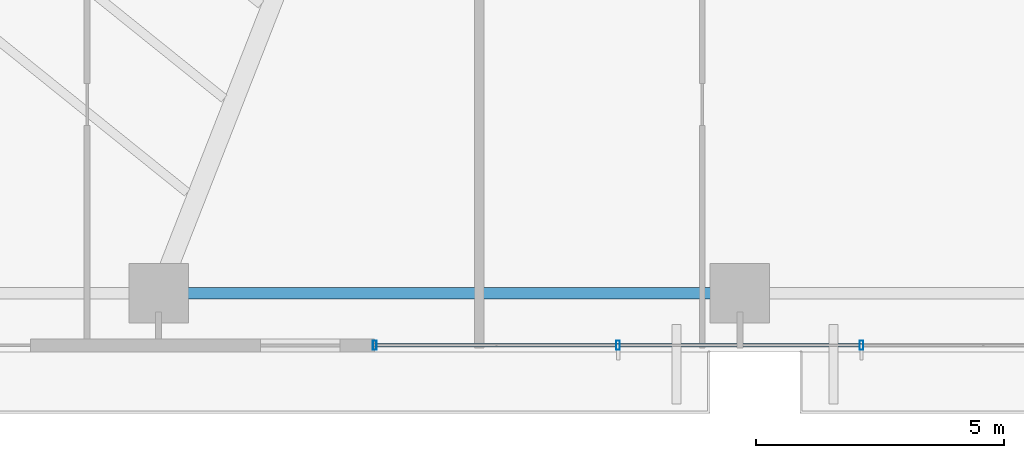
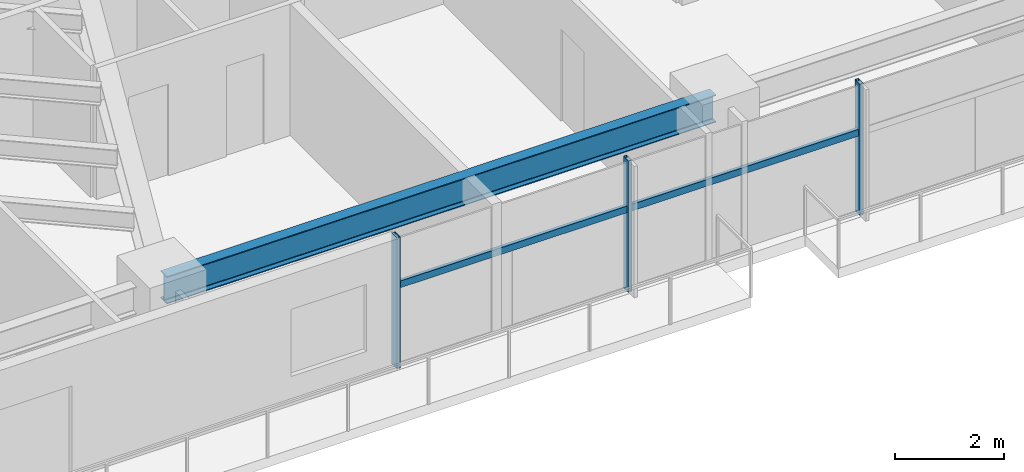
# One storey, part 6 of 25: 5 members, 1 beam, 1 element without a shape of its own.
"""IFC4 building model written with IfcOpenShell, lengths in metres."""

from ifc_helpers import new_model, si_unit, direction, frame, origin, origin_2d, place, context, subcontext, project, spatial, hollow_rectangle, i_section, extrude, source, transform, mapped, material, material_profile, profile_set, type_object, type_shapes, element, aggregate, save


model = new_model("IFC4")

# Units and contexts
model_context = context("Model", 3, precision=1e-05, world=origin(), true_north=direction((0.0, 1.0)))
body_context = subcontext(model_context, "Body", "Model", "MODEL_VIEW")
ifc_project = project(units=[si_unit("LENGTHUNIT", "METRE"), si_unit("AREAUNIT", "SQUARE_METRE"), si_unit("VOLUMEUNIT", "CUBIC_METRE"), si_unit("PLANEANGLEUNIT", "RADIAN"), si_unit("MASSUNIT", "GRAM", prefix="KILO")], contexts=[model_context])

# Site, building, storey
site_placement = place(None, origin())
site = spatial("IfcSite", under=ifc_project, at=site_placement, CompositionType="ELEMENT")
building_placement = place(site_placement, origin())
building = spatial("IfcBuilding", under=site, at=building_placement, Name="Astriad Promenade Condominiums", CompositionType="ELEMENT")
storey_placement = place(building_placement, frame((0.0, 0.0, 61.39990234375)))
storey = spatial("IfcBuildingStorey", under=building, at=storey_placement, Name="L17", CompositionType="ELEMENT", Elevation=61.39990234375)

# Beam
ifc_material_1 = material(Name="Steel ASTM A992 Grade 50", Category="steel")
ifc_material_profile_1 = material_profile(ifc_material_1, i_section(OverallWidth=0.22900390625, OverallDepth=0.612060546875, WebThickness=0.011962890625, FlangeThickness=0.01953125, FilletRadius=0.017822265625, at=origin_2d()), Name="W24X84")
ifc_profile_set_1 = profile_set([ifc_material_profile_1], Name="Steel ASTM A992 Grade 50")
beam_type = type_object("IfcBeamType", Name="STEEL SPANDREL BEAM W24X84", PredefinedType="SPANDREL", material=ifc_profile_set_1)
shared_shape_1 = source(origin(), body_context, "Body", "SweptSolid", [
    extrude(i_section(OverallWidth=0.22900390625, OverallDepth=0.612060546875, WebThickness=0.011962890625, FlangeThickness=0.01953125, FilletRadius=0.017822265625, at=origin_2d()), origin(), (0.0, 0.0, 1.0), 11.6201171875),
])
type_shapes(beam_type, [shared_shape_1])
beam_placement = place(storey_placement, frame((21.139892578125, 3.8798828125, 2.634033203125), z_axis=(1.0, 0.0, 0.0), x_axis=(0.0, 1.0, 0.0)))
element("IfcBeam", 1, at=beam_placement, inside=storey, type_object=beam_type, Name="Perimeter Spandrel Beam SP-S2-L17", PredefinedType="SPANDREL", context=body_context, shape_type="MappedRepresentation", body=[
    mapped(shared_shape_1, transform((0.0, 0.0, 0.0), scale=1.0)),
])

# Curtain wall, members
ifc_material_2 = material(Name="Anodised aluminium Black Dark Glass Unitised", Category="aluminium")
curtain_wall_type = type_object("IfcCurtainWallType", Name="CW-B1-DARK", PredefinedType="USERDEFINED", material=ifc_material_2)
curtain_wall_placement = place(storey_placement, origin())
curtain_wall = element("IfcCurtainWall", 2, at=curtain_wall_placement, inside=storey, type_object=curtain_wall_type, Name="CW-L17-S", ObjectType="UNITISED_CURTAIN_WALL", PredefinedType="USERDEFINED")
ifc_material_3 = material(Name="Anodised aluminium 6063-T6 Black", Category="aluminium")
ifc_material_profile_2 = material_profile(ifc_material_3, hollow_rectangle(XDim=0.074951171875, YDim=0.14990234375, WallThickness=0.004150390625, at=origin_2d()), Name="ALU-TRN-75X150")
ifc_profile_set_2 = profile_set([ifc_material_profile_2], Name="Anodised aluminium 6063-T6 Black")
member_type_1 = type_object("IfcMemberType", Name="TRN-ALU-TRN-75X150", PredefinedType="USERDEFINED", material=ifc_profile_set_2)
shared_shape_2 = source(origin(), body_context, "Body", "SweptSolid", [
    extrude(hollow_rectangle(XDim=0.074951171875, YDim=0.14990234375, WallThickness=0.004150390625, at=origin_2d()), origin(), (0.0, 0.0, 1.0), 4.900146484375),
])
member_1_placement = place(storey_placement, frame((30.35009765625, 2.830078125, 1.822998046875), z_axis=(-1.0, 0.0, 0.0), x_axis=(0.0, -1.0, 0.0)))
member_1 = element("IfcMember", 3, at=member_1_placement, type_object=member_type_1, Name="CW-L17-S-TRN-02-0", ObjectType="TRANSOM", PredefinedType="USERDEFINED", context=body_context, shape_type="MappedRepresentation", body=[
    mapped(shared_shape_2, transform((0.0, 0.0, 0.0), scale=1.0)),
])
shared_shape_3 = source(origin(), body_context, "Body", "SweptSolid", [
    extrude(hollow_rectangle(XDim=0.074951171875, YDim=0.14990234375, WallThickness=0.004150390625, at=origin_2d()), origin(), (0.0, 0.0, 1.0), 4.89990234375),
])
type_shapes(member_type_1, [shared_shape_2, shared_shape_3])
member_2_placement = place(storey_placement, frame((35.25, 2.830078125, 1.822998046875), z_axis=(-1.0, 0.0, 0.0), x_axis=(0.0, -1.0, 0.0)))
member_2 = element("IfcMember", 4, at=member_2_placement, type_object=member_type_1, Name="CW-L17-S-TRN-01-0", ObjectType="TRANSOM", PredefinedType="USERDEFINED", context=body_context, shape_type="MappedRepresentation", body=[
    mapped(shared_shape_3, transform((0.0, 0.0, 0.0), scale=1.0)),
])
ifc_material_profile_3 = material_profile(ifc_material_3, hollow_rectangle(XDim=0.074951171875, YDim=0.18505859375, WallThickness=0.00439453125, at=origin_2d()), Name="ALU-MUL-75X185")
ifc_profile_set_3 = profile_set([ifc_material_profile_3], Name="Anodised aluminium 6063-T6 Black")
member_type_2 = type_object("IfcMemberType", Name="MUL-ALU-MUL-75X185", PredefinedType="MULLION", material=ifc_profile_set_3)
shared_shape_4 = source(origin(), body_context, "Body", "SweptSolid", [
    extrude(hollow_rectangle(XDim=0.074951171875, YDim=0.18505859375, WallThickness=0.00439453125, at=origin_2d()), origin(), (0.0, 0.0, 1.0), 2.940185546875),
])
type_shapes(member_type_2, [shared_shape_4])
member_3_placement = place(storey_placement, frame((35.25, 2.830078125, 0.0), z_axis=(0.0, 0.0, 1.0), x_axis=(1.0, 0.0, 0.0)))
member_3 = element("IfcMember", 5, at=member_3_placement, type_object=member_type_2, Name="CW-L17-S-MUL-01", PredefinedType="MULLION", context=body_context, shape_type="MappedRepresentation", body=[
    mapped(shared_shape_4, transform((0.0, 0.0, 0.0), scale=1.0)),
])
member_4_placement = place(storey_placement, frame((30.35009765625, 2.830078125, 0.0), z_axis=(0.0, 0.0, 1.0), x_axis=(1.0, 0.0, 0.0)))
member_4 = element("IfcMember", 6, at=member_4_placement, type_object=member_type_2, Name="CW-L17-S-MUL-02", PredefinedType="MULLION", context=body_context, shape_type="MappedRepresentation", body=[
    mapped(shared_shape_4, transform((0.0, 0.0, 0.0), scale=1.0)),
])
member_5_placement = place(storey_placement, frame((25.449951171875, 2.830078125, 0.0), z_axis=(0.0, 0.0, 1.0), x_axis=(1.0, 0.0, 0.0)))
member_5 = element("IfcMember", 7, at=member_5_placement, type_object=member_type_2, Name="CW-L17-S-MUL-03", PredefinedType="MULLION", context=body_context, shape_type="MappedRepresentation", body=[
    mapped(shared_shape_4, transform((0.0, 0.0, 0.0), scale=1.0)),
])
aggregate(curtain_wall, [member_3, member_4, member_5, member_2, member_1])

save(model, "model.ifc")
